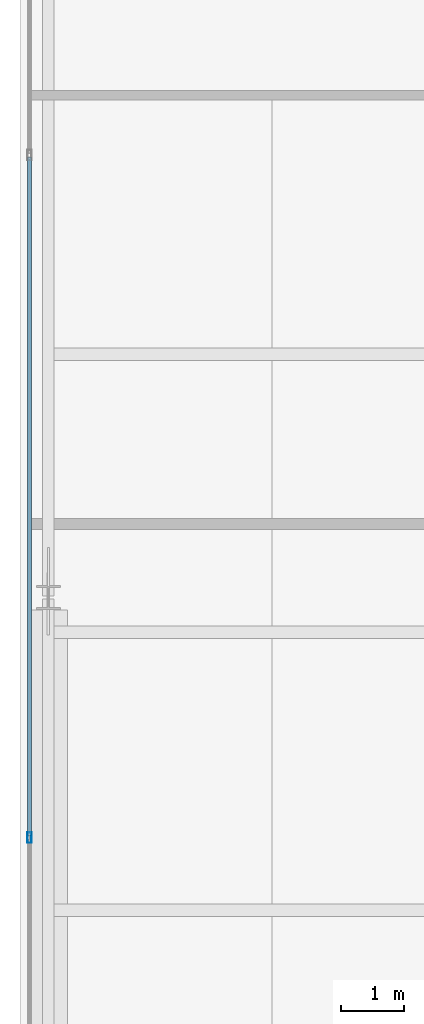
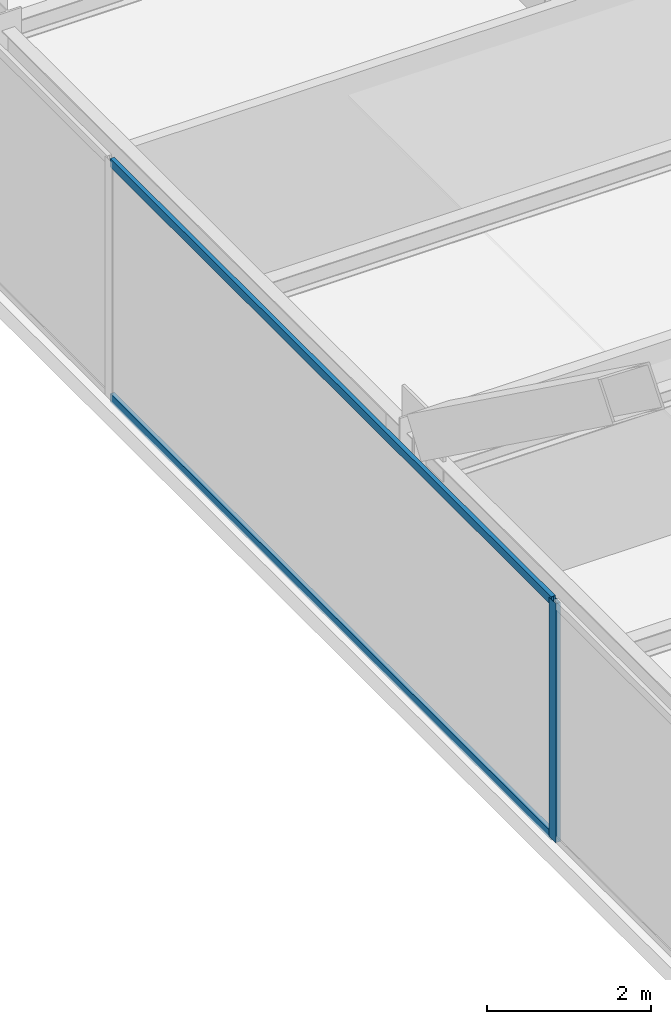
# One storey, part 10 of 32: 3 members, 1 element without a shape of its own.
"""IFC4 building model written with IfcOpenShell, lengths in metres."""

from ifc_helpers import new_model, si_unit, direction, frame, origin, origin_2d, place, context, subcontext, project, spatial, hollow_rectangle, extrude, source, transform, mapped, material, layer, layer_set, material_profile, profile_set, type_object, type_shapes, element, aggregate, save


model = new_model("IFC4")

# Units and contexts
model_context = context("Model", 3, precision=1e-05, world=origin(), true_north=direction((0.0, 1.0)))
body_context = subcontext(model_context, "Body", "Model", "MODEL_VIEW")
ifc_project = project(units=[si_unit("LENGTHUNIT", "METRE"), si_unit("AREAUNIT", "SQUARE_METRE"), si_unit("VOLUMEUNIT", "CUBIC_METRE"), si_unit("PLANEANGLEUNIT", "RADIAN"), si_unit("MASSUNIT", "GRAM", prefix="KILO")], contexts=[model_context])

# Site, building, storey
site_placement = place(None, origin())
site = spatial("IfcSite", under=ifc_project, at=site_placement, CompositionType="ELEMENT")
building_placement = place(site_placement, origin())
building = spatial("IfcBuilding", under=site, at=building_placement, Name="Varnel Quay Broadcast Tower", CompositionType="ELEMENT")
storey_placement = place(building_placement, frame((0.0, 0.0, 164.800048828125)))
storey = spatial("IfcBuildingStorey", under=building, at=storey_placement, Name="L40", CompositionType="ELEMENT", Elevation=164.800048828125)

# Curtain wall, members
ifc_material = material(Name="Anodised Bronze Aluminium 6063-T6", Category="aluminium")
ifc_layer = layer(ifc_material, 0.18994140625, Name="Anodised Bronze Aluminium 6063-T6")
ifc_layer_set = layer_set([ifc_layer], Name="Anodised Bronze Aluminium 6063-T6")
curtain_wall_type = type_object("IfcCurtainWallType", Name="CW_UpperTower", PredefinedType="NOTDEFINED", material=ifc_layer_set)
curtain_wall_placement = place(storey_placement, origin())
curtain_wall = element("IfcCurtainWall", 1, at=curtain_wall_placement, inside=storey, type_object=curtain_wall_type, Name="L40 West Unitised Curtain Wall", PredefinedType="NOTDEFINED")
ifc_material_profile_1 = material_profile(ifc_material, hollow_rectangle(XDim=0.06494140625, YDim=0.1650390625, WallThickness=0.00341796875, at=origin_2d()), Name="ALU65X165X3.5")
ifc_profile_set_1 = profile_set([ifc_material_profile_1], Name="Anodised Bronze Aluminium 6063-T6")
member_type_1 = type_object("IfcMemberType", Name="Mull_CWS-03", PredefinedType="MULLION", material=ifc_profile_set_1)
shared_shape_1 = source(origin(), body_context, "Body", "SweptSolid", [
    extrude(hollow_rectangle(XDim=0.06494140625, YDim=0.1650390625, WallThickness=0.00341796875, at=origin_2d()), origin(), (0.0, 0.0, 1.0), 3.550048828125),
])
type_shapes(member_type_1, [shared_shape_1])
member_1_placement = place(storey_placement, frame((7.14990234375, 21.60009765625, 0.0), z_axis=(0.0, 0.0, 1.0), x_axis=(-1.0, 0.0, 0.0)))
member_1 = element("IfcMember", 2, at=member_1_placement, type_object=member_type_1, Name="CWS-03 mullion 2", PredefinedType="MULLION", context=body_context, shape_type="MappedRepresentation", body=[
    mapped(shared_shape_1, transform((0.0, 0.0, 0.0), x_axis=(1.0, 0.0, 0.0), y_axis=(0.0, 1.0, 0.0), z_axis=(0.0, 0.0, 1.0), scale=1.0)),
])
ifc_material_profile_2 = material_profile(ifc_material, hollow_rectangle(XDim=0.06005859375, YDim=0.125, WallThickness=0.0029296875, at=origin_2d()), Name="ALU60X125X3")
ifc_profile_set_2 = profile_set([ifc_material_profile_2], Name="Anodised Bronze Aluminium 6063-T6")
member_type_2 = type_object("IfcMemberType", Name="Tran_CWS-03", PredefinedType="USERDEFINED", material=ifc_profile_set_2)
shared_shape_2 = source(origin(), body_context, "Body", "SweptSolid", [
    extrude(hollow_rectangle(XDim=0.06005859375, YDim=0.125, WallThickness=0.0029296875, at=origin_2d()), origin(), (0.0, 0.0, 1.0), 10.73486328125),
])
type_shapes(member_type_2, [shared_shape_2])
member_2_placement = place(storey_placement, frame((7.14990234375, 21.632568359375, 0.030029296875), z_axis=(0.0, 1.0, 0.0), x_axis=(-1.0, 0.0, 0.0)))
member_2 = element("IfcMember", 3, at=member_2_placement, type_object=member_type_2, Name="CWS-03 transom 2.1", ObjectType="TRANSOM", PredefinedType="USERDEFINED", context=body_context, shape_type="MappedRepresentation", body=[
    mapped(shared_shape_2, transform((0.0, 0.0, 0.0), x_axis=(1.0, 0.0, 0.0), y_axis=(0.0, 1.0, 0.0), z_axis=(0.0, 0.0, 1.0), scale=1.0)),
])
member_3_placement = place(storey_placement, frame((7.14990234375, 21.632568359375, 3.52001953125), z_axis=(0.0, 1.0, 0.0), x_axis=(-1.0, 0.0, 0.0)))
member_3 = element("IfcMember", 4, at=member_3_placement, type_object=member_type_2, Name="CWS-03 transom 2.2", ObjectType="TRANSOM", PredefinedType="USERDEFINED", context=body_context, shape_type="MappedRepresentation", body=[
    mapped(shared_shape_2, transform((0.0, 0.0, 0.0), x_axis=(1.0, 0.0, 0.0), y_axis=(0.0, 1.0, 0.0), z_axis=(0.0, 0.0, 1.0), scale=1.0)),
])
aggregate(curtain_wall, [member_1, member_2, member_3])

save(model, "model.ifc")
